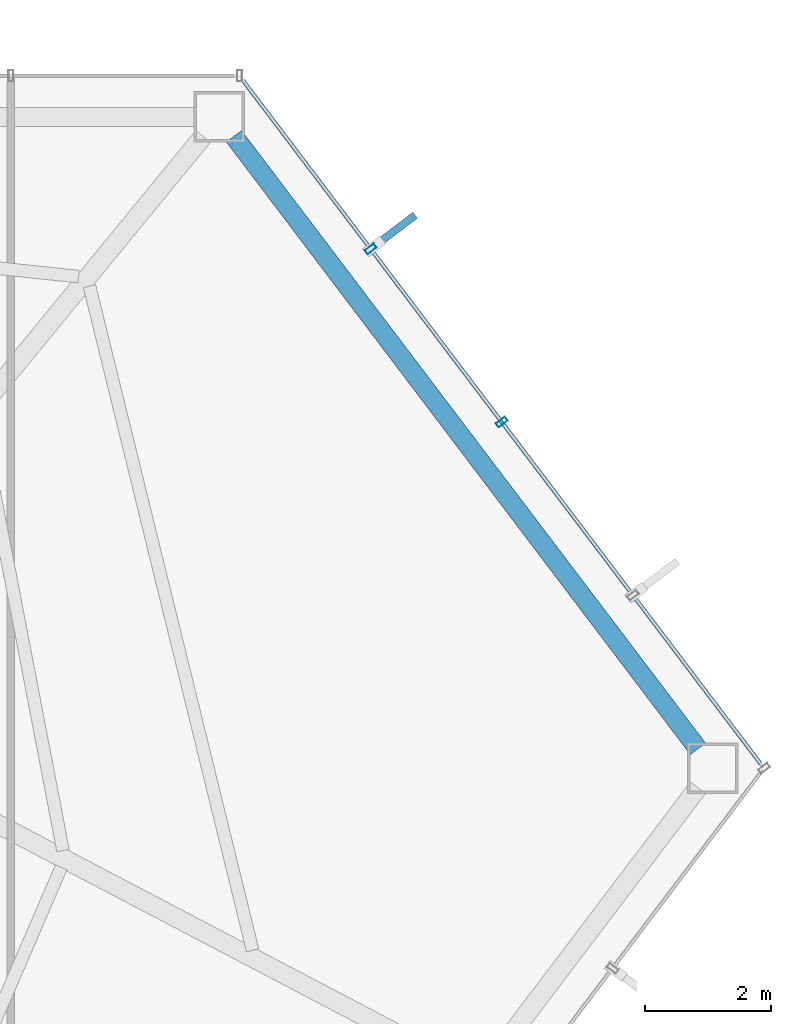
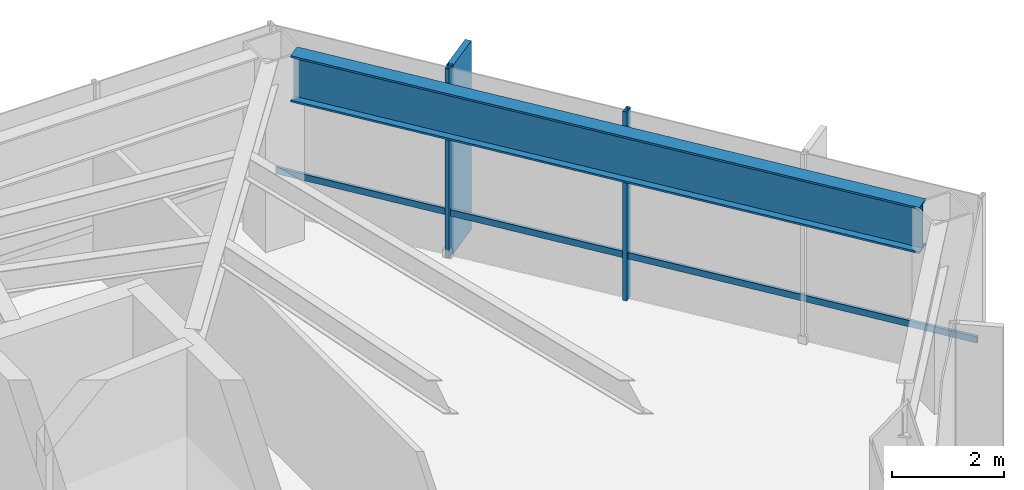
# One storey, part 20 of 27: 4 members, 1 beam, 1 element without a shape of its own.
"""IFC4 building model written with IfcOpenShell, lengths in metres."""

import ifcopenshell
import ifcopenshell.guid

model = None  # the IFC model being written
_history = None  # IfcOwnerHistory: only IFC2X3 demands one
_inside = {}  # id of a spatial element -> (the spatial element, [elements in it])
_under = {}  # id of a project, library or spatial element -> (it, [spatial elements below it])
_declared = {}  # id of a project -> (the project, [libraries it declares])
_typed = {}  # id of a type object -> (the type object, [elements of that type])
_made_of = {}  # id of a material, layer set ... -> (it, [elements and type objects made of it])


def new_model(schema):
    """Start an empty IFC model of exactly this schema.

    Asked for "IFC4X3", IfcOpenShell would pick the latest addendum, in which some entities
    have other attributes; the version numbers below select the first issue.
    IFC2X3 requires an IfcOwnerHistory on every rooted entity: one is made here for all.
    """
    global model, _history
    if schema == "IFC4X3":
        model = ifcopenshell.file(schema_version=(4, 3, 0, 0))
    else:
        model = ifcopenshell.file(schema=schema)
    _inside.clear()
    _under.clear()
    _declared.clear()
    _typed.clear()
    _made_of.clear()
    _history = None
    if model.schema == "IFC2X3":
        org = make("IfcOrganization", Name="unknown")
        user = make(
            "IfcPersonAndOrganization",
            ThePerson=make("IfcPerson", FamilyName="unknown"),
            TheOrganization=org,
        )
        app = make(
            "IfcApplication",
            ApplicationDeveloper=org,
            Version="unknown",
            ApplicationFullName="unknown",
            ApplicationIdentifier="unknown",
        )
        _history = make(
            "IfcOwnerHistory",
            OwningUser=user,
            OwningApplication=app,
            ChangeAction="ADDED",
            CreationDate=0,
        )
    return model


def make(cls, **values):
    """One entity of the class cls with the attributes given. An attribute that is None is left unset."""
    return model.create_entity(
        cls, **{name: value for name, value in values.items() if value is not None}
    )


def rooted(cls, **values):
    """An entity with a GlobalId (a new one), such as an element, a storey or a relation."""
    return make(cls, GlobalId=ifcopenshell.guid.new(), OwnerHistory=_history, **values)


def si_unit(unit_type, name, prefix=None):
    """IfcSIUnit, for example si_unit("LENGTHUNIT", "METRE", prefix="MILLI")."""
    return make("IfcSIUnit", UnitType=unit_type, Prefix=prefix, Name=name)


def assignment(units):
    """IfcUnitAssignment: the units of a project."""
    return None if units is None else make("IfcUnitAssignment", Units=units)


def point(xyz):
    """IfcCartesianPoint."""
    return None if xyz is None else make("IfcCartesianPoint", Coordinates=xyz)


def direction(xyz):
    """IfcDirection."""
    return None if xyz is None else make("IfcDirection", DirectionRatios=xyz)


def frame(location, z_axis=None, x_axis=None):
    """IfcAxis2Placement3D, a coordinate frame: its origin and axes. An axis left out is left unset."""
    return make(
        "IfcAxis2Placement3D",
        Location=point(location),
        Axis=direction(z_axis),
        RefDirection=direction(x_axis),
    )


def frame_2d(location, x_axis=None):
    """IfcAxis2Placement2D, a coordinate frame in the plane: its origin and x axis."""
    return make(
        "IfcAxis2Placement2D", Location=point(location), RefDirection=direction(x_axis)
    )


def origin():
    """The frame at (0, 0, 0) with its axes left unset."""
    return frame((0.0, 0.0, 0.0))


def origin_2d():
    """The frame at (0, 0) in the plane with its x axis left unset."""
    return frame_2d((0.0, 0.0))


def place(relative_to, where):
    """IfcLocalPlacement: puts the frame where relative to a parent placement (None: the world)."""
    return make(
        "IfcLocalPlacement", PlacementRelTo=relative_to, RelativePlacement=where
    )


def context(
    kind, dimensions, precision=None, world=None, true_north=None, identifier=None
):
    """IfcGeometricRepresentationContext, for example the 3D "Model" context."""
    return make(
        "IfcGeometricRepresentationContext",
        ContextIdentifier=identifier,
        ContextType=kind,
        CoordinateSpaceDimension=dimensions,
        Precision=precision,
        WorldCoordinateSystem=world,
        TrueNorth=true_north,
    )


def subcontext(parent, identifier, kind, view, scale=None):
    """IfcGeometricRepresentationSubContext, for example "Body" below "Model"."""
    return make(
        "IfcGeometricRepresentationSubContext",
        ContextIdentifier=identifier,
        ContextType=kind,
        ParentContext=parent,
        TargetScale=scale,
        TargetView=view,
    )


def project(units=None, contexts=None):
    """IfcProject with its units and contexts."""
    return rooted(
        "IfcProject",
        Name="project",
        RepresentationContexts=contexts,
        UnitsInContext=assignment(units),
    )


def spatial(cls, under=None, at=None, **own):
    """A site, building, storey or space (cls), placed at a placement, below another one or the project."""
    s = rooted(cls, ObjectPlacement=at, **own)
    if under is not None:
        _under.setdefault(under.id(), (under, []))[1].append(s)
    return s


def profile(cls, at=None, kind="AREA", **sizes):
    """A parametric profile (cls). Its sizes go by their IFC names, for example OverallWidth=200.0."""
    return make(cls, ProfileType=kind, Position=at, **sizes)


def rectangle(**sizes):
    """IfcRectangleProfileDef."""
    return profile("IfcRectangleProfileDef", **sizes)


def hollow_rectangle(**sizes):
    """IfcRectangleHollowProfileDef."""
    return profile("IfcRectangleHollowProfileDef", **sizes)


def i_section(**sizes):
    """IfcIShapeProfileDef."""
    return profile("IfcIShapeProfileDef", **sizes)


def extrude(swept, where, along, depth):
    """IfcExtrudedAreaSolid: the profile swept, set in the frame where, extruded along a direction by depth."""
    return make(
        "IfcExtrudedAreaSolid",
        SweptArea=swept,
        Position=where,
        ExtrudedDirection=direction(along),
        Depth=depth,
    )


def shape(context_of_items, identifier, shape_type, items):
    """IfcShapeRepresentation: the items that make up one representation, for example the "Body"."""
    return make(
        "IfcShapeRepresentation",
        ContextOfItems=context_of_items,
        RepresentationIdentifier=identifier,
        RepresentationType=shape_type,
        Items=items,
    )


def material(Name=None, Category=None):
    """IfcMaterial."""
    return make("IfcMaterial", Name=Name, Category=Category)


def layer(
    of_material, thickness, ventilated=None, Name=None, Category=None, Priority=None
):
    """IfcMaterialLayer: one layer of a wall or slab, of a material (None: an air gap)."""
    return make(
        "IfcMaterialLayer",
        Material=of_material,
        LayerThickness=thickness,
        IsVentilated=ventilated,
        Name=Name,
        Category=Category,
        Priority=Priority,
    )


def layer_set(layers, Name=None):
    """IfcMaterialLayerSet."""
    return make("IfcMaterialLayerSet", MaterialLayers=layers, LayerSetName=Name)


def material_profile(
    of_material, cross_section, Name=None, Category=None, Priority=None
):
    """IfcMaterialProfile: a cross section and its material."""
    return make(
        "IfcMaterialProfile",
        Name=Name,
        Material=of_material,
        Profile=cross_section,
        Priority=Priority,
        Category=Category,
    )


def profile_set(profiles, Name=None, composite=None):
    """IfcMaterialProfileSet."""
    return make(
        "IfcMaterialProfileSet",
        Name=Name,
        MaterialProfiles=profiles,
        CompositeProfile=composite,
    )


def made_of(thing, what):
    """Note that an element or type object is made of a material, layer set ...; save() writes the relation."""
    if what is not None:
        _made_of.setdefault(what.id(), (what, []))[1].append(thing)
    return thing


def type_object(cls, material=None, **own):
    """A type object (cls), such as IfcWallType, which elements share."""
    return made_of(rooted(cls, **own), material)


def element(
    cls,
    number,
    at=None,
    inside=None,
    cuts=None,
    type_object=None,
    material=None,
    context=None,
    identifier="Body",
    shape_type=None,
    held_by="IfcProductDefinitionShape",
    body=None,
    shapes=None,
    **own,
):
    """One element of the class cls, such as IfcWall. Its Tag is "e" and its number.

    at: its placement. inside: the storey or other place that contains it. cuts: it is an
    opening in that element (IfcRelVoidsElement). A single representation is given by context,
    identifier, shape_type and body (its items); several are given by shapes. held_by: the class
    of the entity that holds the representations. save() writes the other relations.
    """
    e = rooted(cls, Tag="e%d" % number, ObjectPlacement=at, **own)
    if body is not None:
        shapes = [shape(context, identifier, shape_type, body)]
    if shapes is not None:
        e.Representation = make(held_by, Representations=shapes)
    if inside is not None:
        _inside.setdefault(inside.id(), (inside, []))[1].append(e)
    if cuts is not None:
        rooted(
            "IfcRelVoidsElement", RelatingBuildingElement=cuts, RelatedOpeningElement=e
        )
    if type_object is not None:
        _typed.setdefault(type_object.id(), (type_object, []))[1].append(e)
    return made_of(e, material)


def aggregate(whole, parts):
    """IfcRelAggregates: a whole, such as a stair, and the parts it consists of."""
    return rooted("IfcRelAggregates", RelatingObject=whole, RelatedObjects=parts)


def save(model, path):
    """Write the relations noted so far, then the file.

    IfcRelAggregates (storeys below a building ...), IfcRelContainedInSpatialStructure (elements
    in a storey), IfcRelDefinesByType, IfcRelAssociatesMaterial and IfcRelDeclares: one each for
    every whole, place, type object, material and project.
    """
    for whole, parts in _under.values():
        aggregate(whole, parts)
    for where, things in _inside.values():
        rooted(
            "IfcRelContainedInSpatialStructure",
            RelatedElements=things,
            RelatingStructure=where,
        )
    for kind, things in _typed.values():
        rooted("IfcRelDefinesByType", RelatedObjects=things, RelatingType=kind)
    for what, things in _made_of.values():
        rooted("IfcRelAssociatesMaterial", RelatedObjects=things, RelatingMaterial=what)
    for by, libraries in _declared.values():
        rooted("IfcRelDeclares", RelatingContext=by, RelatedDefinitions=libraries)
    model.write(path)


model = new_model("IFC4")

# Units and contexts
model_context = context("Model", 3, precision=1e-05, world=origin(), true_north=direction((0.0, 1.0)))
body_context = subcontext(model_context, "Body", "Model", "MODEL_VIEW")
ifc_project = project(units=[si_unit("LENGTHUNIT", "METRE"), si_unit("AREAUNIT", "SQUARE_METRE"), si_unit("VOLUMEUNIT", "CUBIC_METRE"), si_unit("PLANEANGLEUNIT", "RADIAN"), si_unit("MASSUNIT", "GRAM", prefix="KILO")], contexts=[model_context])

# Site, building, storey
site_placement = place(None, origin())
site = spatial("IfcSite", under=ifc_project, at=site_placement, CompositionType="ELEMENT")
building_placement = place(site_placement, origin())
building = spatial("IfcBuilding", under=site, at=building_placement, Name="Zarrinselat Tower", CompositionType="ELEMENT")
storey_placement = place(building_placement, frame((0.0, 0.0, 114.580078125)))
storey = spatial("IfcBuildingStorey", under=building, at=storey_placement, Name="L27", CompositionType="ELEMENT", Elevation=114.580078125)

# Beam
ifc_material_1 = material(Name="Steel S460M", Category="steel")
ifc_material_profile_1 = material_profile(ifc_material_1, i_section(OverallWidth=0.302001953125, OverallDepth=1.008056640625, WebThickness=0.02099609375, FlangeThickness=0.0400390625, at=origin_2d()), Name="HEM 1000")
ifc_profile_set_1 = profile_set([ifc_material_profile_1], Name="Steel S460M")
beam_type = type_object("IfcBeamType", Name="BM-HEM1000", PredefinedType="BEAM", material=ifc_profile_set_1)
beam_placement = place(storey_placement, frame((54.337646484375, 48.385009765625, 3.615966796875), z_axis=(0.603855373793, -0.797093901332, 0.0), x_axis=(0.797093901332, 0.603855373793, 0.0)))
element("IfcBeam", 1, at=beam_placement, inside=storey, type_object=beam_type, Name="L27 Perimeter Spandrel Girder SP15", PredefinedType="BEAM", context=body_context, shape_type="SweptSolid", body=[
    extrude(i_section(OverallWidth=0.302001953125, OverallDepth=1.008056640625, WebThickness=0.02099609375, FlangeThickness=0.0400390625, at=origin_2d()), origin(), (0.0, 0.0, 1.0), 12.18701171875),
])

# Curtain wall, members
ifc_material_2 = material(Name="Extruded Aluminium Alloy EN AW-6063 T6", Category="aluminium")
ifc_layer = layer(ifc_material_2, 0.195068359375)
ifc_layer_set = layer_set([ifc_layer], Name="Extruded Aluminium Alloy EN AW-6063 T6")
curtain_wall_type = type_object("IfcCurtainWallType", Name="CWS-GDN", PredefinedType="NOTDEFINED", material=ifc_layer_set)
curtain_wall_placement = place(storey_placement, origin())
curtain_wall = element("IfcCurtainWall", 2, at=curtain_wall_placement, inside=storey, type_object=curtain_wall_type, Name="L27 Unitised Curtain Wall CW-L27-E05", PredefinedType="NOTDEFINED")
ifc_material_3 = material(Name="Extruded Aluminium Alloy EN AW-6063 T6", Category="aluminium")
ifc_material_profile_2 = material_profile(ifc_material_3, hollow_rectangle(XDim=0.080078125, YDim=0.179931640625, WallThickness=0.0048828125, at=origin_2d()), Name="RHS 180x80x5")
ifc_profile_set_2 = profile_set([ifc_material_profile_2], Name="Extruded Aluminium Alloy EN AW-6063 T6")
member_type_1 = type_object("IfcMemberType", Name="MEM-CW-MUL", PredefinedType="MULLION", material=ifc_profile_set_2)
member_1_placement = place(storey_placement, frame((56.50634765625, 46.5986328125, 0.0), z_axis=(0.0, 0.0, 1.0), x_axis=(0.603856430388, -0.797093100885, 0.0)))
member_1 = element("IfcMember", 3, at=member_1_placement, type_object=member_type_1, Name="CW-L27-E05 Mullion 1", PredefinedType="MULLION", context=body_context, shape_type="SweptSolid", body=[
    extrude(hollow_rectangle(XDim=0.080078125, YDim=0.179931640625, WallThickness=0.0048828125, at=origin_2d()), origin(), (0.0, 0.0, 1.0), 4.119873046875),
])
member_2_placement = place(storey_placement, frame((58.58642578125, 43.85302734375, 0.0), z_axis=(0.0, 0.0, 1.0), x_axis=(0.603856430388, -0.797093100885, 0.0)))
member_2 = element("IfcMember", 4, at=member_2_placement, type_object=member_type_1, Name="CW-L27-E05 Mullion 2", PredefinedType="MULLION", context=body_context, shape_type="SweptSolid", body=[
    extrude(hollow_rectangle(XDim=0.080078125, YDim=0.179931640625, WallThickness=0.0048828125, at=origin_2d()), origin(), (0.0, 0.0, 1.0), 4.119873046875),
])
ifc_material_4 = material(Name="Extruded Aluminium Alloy EN AW-6063 T6", Category="aluminium")
ifc_material_profile_3 = material_profile(ifc_material_4, hollow_rectangle(XDim=0.06005859375, YDim=0.139892578125, WallThickness=0.00390625, at=origin_2d()), Name="RHS 140x60x4")
ifc_profile_set_3 = profile_set([ifc_material_profile_3], Name="Extruded Aluminium Alloy EN AW-6063 T6")
member_type_2 = type_object("IfcMemberType", Name="MEM-CW-TRN", PredefinedType="USERDEFINED", material=ifc_profile_set_3)
member_3_placement = place(storey_placement, frame((54.480712890625, 49.272705078125, 0.949951171875), z_axis=(0.603848009402, -0.79709948033, 0.0), x_axis=(0.79709948033, 0.603848009402, 0.0)))
member_3 = element("IfcMember", 5, at=member_3_placement, type_object=member_type_2, Name="CW-L27-E05 Transom 1", ObjectType="TRANSOM", PredefinedType="USERDEFINED", context=body_context, shape_type="SweptSolid", body=[
    extrude(hollow_rectangle(XDim=0.06005859375, YDim=0.139892578125, WallThickness=0.00390625, at=origin_2d()), origin(), (0.0, 0.0, 1.0), 13.598388671875),
])
ifc_material_5 = material(Name="Honed Cream Travertine Stone", Category="masonry")
ifc_material_profile_4 = material_profile(ifc_material_5, rectangle(XDim=0.1201171875, YDim=0.85009765625, at=origin_2d()), Name="FIN 850x120")
ifc_profile_set_4 = profile_set([ifc_material_profile_4], Name="Honed Cream Travertine Stone")
member_type_3 = type_object("IfcMemberType", Name="MEM-STONE-FIN", PredefinedType="USERDEFINED", material=ifc_profile_set_4)
member_4_placement = place(storey_placement, frame((56.873046875, 46.87646484375, 0.0), z_axis=(0.0, 0.0, 1.0), x_axis=(0.603856430388, -0.797093100885, 0.0)))
member_4 = element("IfcMember", 6, at=member_4_placement, type_object=member_type_3, Name="L27 Stone Shading Fin CW-L27-E05-01", ObjectType="FIN", PredefinedType="USERDEFINED", context=body_context, shape_type="SweptSolid", body=[
    extrude(rectangle(XDim=0.1201171875, YDim=0.85009765625, at=origin_2d()), origin(), (0.0, 0.0, 1.0), 4.119873046875),
])
aggregate(curtain_wall, [member_1, member_4, member_2, member_3])

save(model, "model.ifc")
